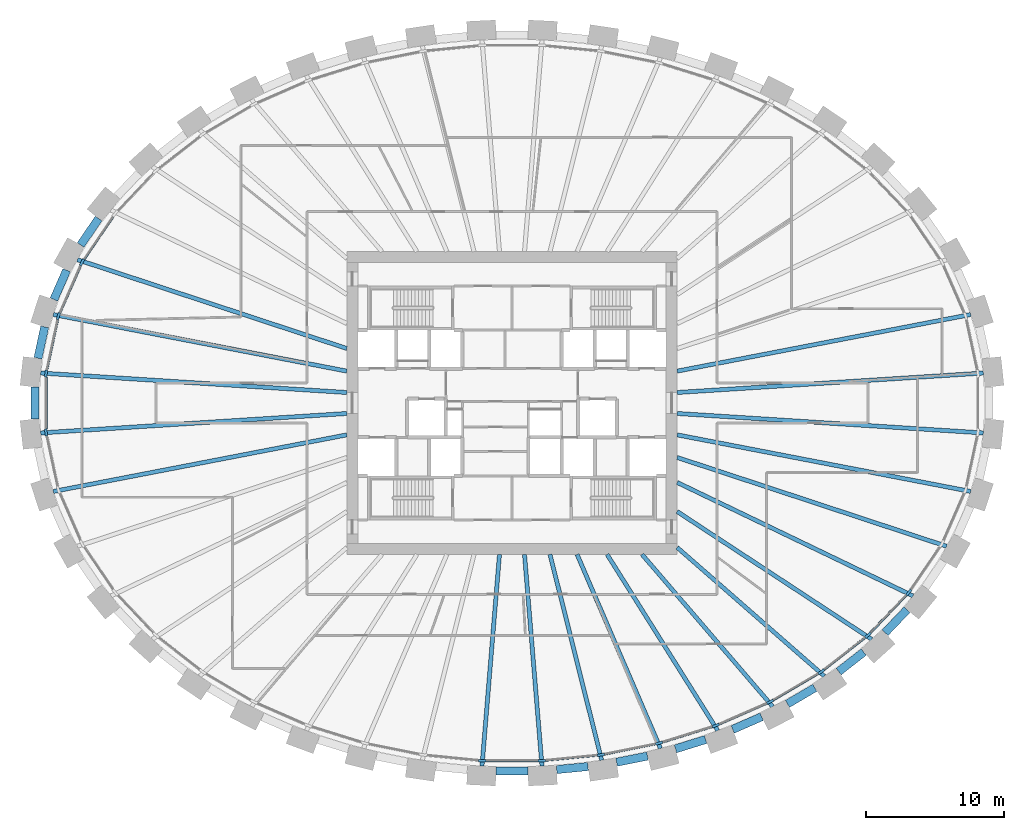
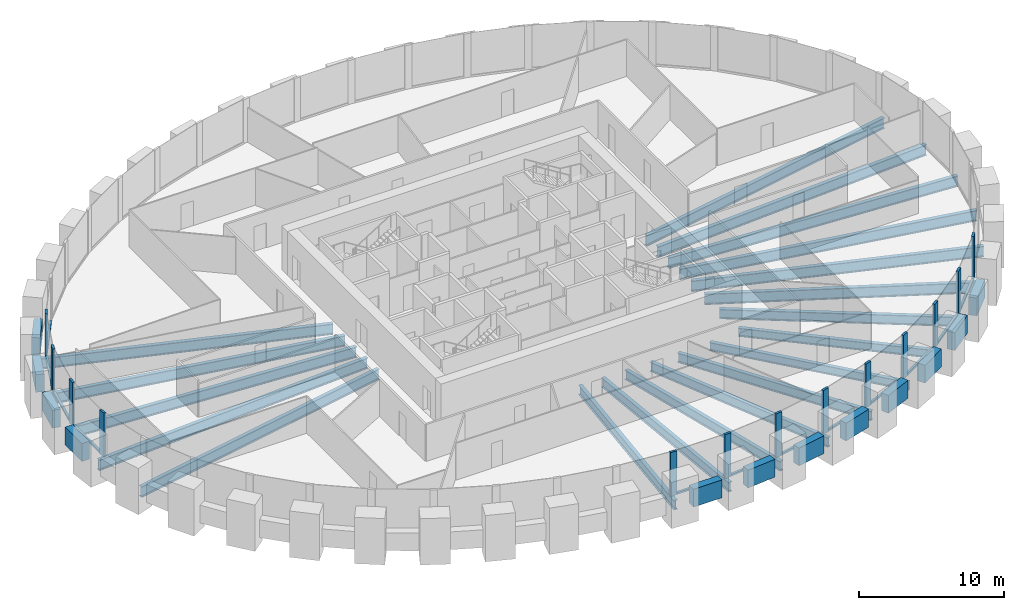
# One storey, part 2 of 11: 31 beams, 25 members, 1 element without a shape of its own.
"""IFC4 building model written with IfcOpenShell, lengths in metres."""

from ifc_helpers import new_model, si_unit, direction, frame, origin, origin_2d, place, context, subcontext, project, spatial, rectangle, i_section, extrude, source, transform, mapped, material, material_profile, profile_set, type_object, element, aggregate, save


model = new_model("IFC4")

# Units and contexts
model_context = context("Model", 3, precision=1e-05, world=origin(), true_north=direction((0.0, 1.0)))
body_context = subcontext(model_context, "Body", "Model", "MODEL_VIEW")
ifc_project = project(units=[si_unit("LENGTHUNIT", "METRE"), si_unit("AREAUNIT", "SQUARE_METRE"), si_unit("VOLUMEUNIT", "CUBIC_METRE"), si_unit("PLANEANGLEUNIT", "RADIAN"), si_unit("MASSUNIT", "GRAM", prefix="KILO")], contexts=[model_context])

# Site, building, storey
site_placement = place(None, origin())
site = spatial("IfcSite", under=ifc_project, at=site_placement, CompositionType="ELEMENT")
building_placement = place(site_placement, origin())
building = spatial("IfcBuilding", under=site, at=building_placement, Name="Embergate Tower", CompositionType="ELEMENT")
storey_placement = place(building_placement, frame((0.0, 0.0, 226.800048828125)))
storey = spatial("IfcBuildingStorey", under=building, at=storey_placement, Name="L52", CompositionType="ELEMENT", Elevation=226.800048828125)

# Beams
ifc_material_1 = material(Name="Concrete C60", Category="concrete")
ifc_material_profile_1 = material_profile(ifc_material_1, rectangle(XDim=0.60009765625, YDim=1.5, at=origin_2d()), Name="RC 600x1500")
ifc_profile_set_1 = profile_set([ifc_material_profile_1], Name="Concrete C60")
beam_type_1 = type_object("IfcBeamType", Name="Spandrel beam RC 600x1500 C60", PredefinedType="BEAM", material=ifc_profile_set_1)
shared_shape_1 = source(origin(), body_context, "Body", "SweptSolid", [
    extrude(rectangle(XDim=0.60009765625, YDim=1.5, at=origin_2d()), origin(), (0.0, 0.0, 1.0), 2.326171875),
])
beam_1_placement = place(storey_placement, frame((-33.947998046875, 5.527099609375, 0.0), z_axis=(-0.210224296762, -0.977653182397, 0.0), x_axis=(0.977653182397, -0.210224296762, 0.0)))
element("IfcBeam", 1, at=beam_1_placement, inside=storey, type_object=beam_type_1, Name="SPN-L52-20", PredefinedType="BEAM", context=body_context, shape_type="MappedRepresentation", body=[
    mapped(shared_shape_1, transform((0.0, 0.0, 0.0))),
])
shared_shape_2 = source(origin(), body_context, "Body", "SweptSolid", [
    extrude(rectangle(XDim=0.60009765625, YDim=1.5, at=origin_2d()), origin(), (0.0, 0.0, 1.0), 2.3193359375),
])
beam_2_placement = place(storey_placement, frame((-32.35107421875, 9.64306640625, 0.0), z_axis=(-0.401768353021, -0.915741333844, 0.0), x_axis=(0.915741333844, -0.401768353021, 0.0)))
element("IfcBeam", 2, at=beam_2_placement, inside=storey, type_object=beam_type_1, Name="SPN-L52-19", PredefinedType="BEAM", context=body_context, shape_type="MappedRepresentation", body=[
    mapped(shared_shape_2, transform((0.0, 0.0, 0.0))),
])
shared_shape_3 = source(origin(), body_context, "Body", "SweptSolid", [
    extrude(rectangle(XDim=0.60009765625, YDim=1.5, at=origin_2d()), origin(), (0.0, 0.0, 1.0), 2.315673828125),
])
beam_3_placement = place(storey_placement, frame((-30.032958984375, 13.39501953125, 0.0), z_axis=(-0.562243694996, -0.82697160014, 0.0), x_axis=(0.82697160014, -0.562243694996, 0.0)))
element("IfcBeam", 3, at=beam_3_placement, inside=storey, type_object=beam_type_1, Name="SPN-L52-18", PredefinedType="BEAM", context=body_context, shape_type="MappedRepresentation", body=[
    mapped(shared_shape_3, transform((0.0, 0.0, 0.0))),
])
shared_shape_4 = source(origin(), body_context, "Body", "SweptSolid", [
    extrude(rectangle(XDim=0.60009765625, YDim=1.5, at=origin_2d()), origin(), (0.0, 0.0, 1.0), 2.30712890625),
])
beam_4_placement = place(storey_placement, frame((27.10498046875, -16.68505859375, 0.0), z_axis=(0.690460646057, 0.723369958076, 0.0), x_axis=(-0.723369958076, 0.690460646057, 0.0)))
element("IfcBeam", 4, at=beam_4_placement, inside=storey, type_object=beam_type_1, Name="SPN-L52-39", PredefinedType="BEAM", context=body_context, shape_type="MappedRepresentation", body=[
    mapped(shared_shape_4, transform((0.0, 0.0, 0.0))),
])
shared_shape_5 = source(origin(), body_context, "Body", "SweptSolid", [
    extrude(rectangle(XDim=0.60009765625, YDim=1.5, at=origin_2d()), origin(), (0.0, 0.0, 1.0), 2.30224609375),
])
beam_5_placement = place(storey_placement, frame((23.73388671875, -19.510986328125, 0.0), z_axis=(0.788466304813, 0.6150779513, 0.0), x_axis=(-0.6150779513, 0.788466304813, 0.0)))
element("IfcBeam", 5, at=beam_5_placement, inside=storey, type_object=beam_type_1, Name="SPN-L52-38", PredefinedType="BEAM", context=body_context, shape_type="MappedRepresentation", body=[
    mapped(shared_shape_5, transform((0.0, 0.0, 0.0))),
])
shared_shape_6 = source(origin(), body_context, "Body", "SweptSolid", [
    extrude(rectangle(XDim=0.60009765625, YDim=1.5, at=origin_2d()), origin(), (0.0, 0.0, 1.0), 2.29931640625),
])
beam_6_placement = place(storey_placement, frame((20.014892578125, -21.85693359375, 0.0), z_axis=(0.86211432003, 0.506713823769, 0.0), x_axis=(-0.506713823769, 0.86211432003, 0.0)))
element("IfcBeam", 6, at=beam_6_placement, inside=storey, type_object=beam_type_1, Name="SPN-L52-37", PredefinedType="BEAM", context=body_context, shape_type="MappedRepresentation", body=[
    mapped(shared_shape_6, transform((0.0, 0.0, 0.0))),
])
shared_shape_7 = source(origin(), body_context, "Body", "SweptSolid", [
    extrude(rectangle(XDim=0.60009765625, YDim=1.5, at=origin_2d()), origin(), (0.0, 0.0, 1.0), 2.294189453125),
])
beam_7_placement = place(storey_placement, frame((16.033935546875, -23.712890625, 0.0), z_axis=(0.916269649714, 0.400562016437, 0.0), x_axis=(-0.400562016437, 0.916269649714, 0.0)))
element("IfcBeam", 7, at=beam_7_placement, inside=storey, type_object=beam_type_1, Name="SPN-L52-36", PredefinedType="BEAM", context=body_context, shape_type="MappedRepresentation", body=[
    mapped(shared_shape_7, transform((0.0, 0.0, 0.0))),
])
shared_shape_8 = source(origin(), body_context, "Body", "SweptSolid", [
    extrude(rectangle(XDim=0.60009765625, YDim=1.5, at=origin_2d()), origin(), (0.0, 0.0, 1.0), 2.29248046875),
])
beam_8_placement = place(storey_placement, frame((11.8779296875, -25.1279296875, 0.0), z_axis=(0.954869530389, 0.297025554345, 0.0), x_axis=(-0.297025554345, 0.954869530389, 0.0)))
element("IfcBeam", 8, at=beam_8_placement, inside=storey, type_object=beam_type_1, Name="SPN-L52-35", PredefinedType="BEAM", context=body_context, shape_type="MappedRepresentation", body=[
    mapped(shared_shape_8, transform((0.0, 0.0, 0.0))),
])
shared_shape_9 = source(origin(), body_context, "Body", "SweptSolid", [
    extrude(rectangle(XDim=0.60009765625, YDim=1.5, at=origin_2d()), origin(), (0.0, 0.0, 1.0), 2.289794921875),
])
beam_9_placement = place(storey_placement, frame((7.597900390625, -26.097900390625, 0.0), z_axis=(0.980502681686, 0.196505702735, 0.0), x_axis=(-0.196505702735, 0.980502681686, 0.0)))
element("IfcBeam", 9, at=beam_9_placement, inside=storey, type_object=beam_type_1, Name="SPN-L52-34", PredefinedType="BEAM", context=body_context, shape_type="MappedRepresentation", body=[
    mapped(shared_shape_9, transform((0.0, 0.0, 0.0))),
])
shared_shape_10 = source(origin(), body_context, "Body", "SweptSolid", [
    extrude(rectangle(XDim=0.60009765625, YDim=1.5, at=origin_2d()), origin(), (0.0, 0.0, 1.0), 2.2890625),
])
beam_10_placement = place(storey_placement, frame((3.242919921875, -26.632080078125, 0.0), z_axis=(0.995195366702, 0.097909050116, 0.0), x_axis=(-0.097909050116, 0.995195366702, 0.0)))
element("IfcBeam", 10, at=beam_10_placement, inside=storey, type_object=beam_type_1, Name="SPN-L52-33", PredefinedType="BEAM", context=body_context, shape_type="MappedRepresentation", body=[
    mapped(shared_shape_10, transform((0.0, 0.0, 0.0))),
])
shared_shape_11 = source(origin(), body_context, "Body", "SweptSolid", [
    extrude(rectangle(XDim=0.60009765625, YDim=1.5, at=origin_2d()), origin(), (0.0, 0.0, 1.0), 2.2900390625),
])
beam_11_placement = place(storey_placement, frame((-1.14501953125, -26.735107421875, 0.0), z_axis=(1.0, 0.0, 0.0), x_axis=(0.0, 1.0, 0.0)))
element("IfcBeam", 11, at=beam_11_placement, inside=storey, type_object=beam_type_1, Name="SPN-L52-32", PredefinedType="BEAM", context=body_context, shape_type="MappedRepresentation", body=[
    mapped(shared_shape_11, transform((0.0, 0.0, 0.0))),
])
shared_shape_12 = source(origin(), body_context, "Body", "SweptSolid", [
    extrude(rectangle(XDim=0.60009765625, YDim=1.5, at=origin_2d()), origin(), (0.0, 0.0, 1.0), 2.328125),
])
beam_12_placement = place(storey_placement, frame((-34.658935546875, 1.1640625, 0.0), z_axis=(0.0, -1.0, 0.0), x_axis=(1.0, 0.0, 0.0)))
element("IfcBeam", 12, at=beam_12_placement, inside=storey, type_object=beam_type_1, Name="SPN-L52-21", PredefinedType="BEAM", context=body_context, shape_type="MappedRepresentation", body=[
    mapped(shared_shape_12, transform((0.0, 0.0, 0.0))),
])
ifc_material_2 = material(Name="Steel Q355B", Category="steel")
ifc_material_profile_2 = material_profile(ifc_material_2, i_section(OverallWidth=0.300048828125, OverallDepth=0.89990234375, WebThickness=0.01611328125, FlangeThickness=0.028076171875, FilletRadius=0.028076171875, at=origin_2d()), Name="HN 900x300x16x28")
ifc_profile_set_2 = profile_set([ifc_material_profile_2], Name="Steel Q355 grade B")
beam_type_2 = type_object("IfcBeamType", Name="Radial girder HN 900x300x16x28", PredefinedType="BEAM", material=ifc_profile_set_2)
shared_shape_13 = source(origin(), body_context, "Body", "SweptSolid", [
    extrude(i_section(OverallWidth=0.300048828125, OverallDepth=0.89990234375, WebThickness=0.01611328125, FlangeThickness=0.028076171875, FilletRadius=0.028076171875, at=origin_2d()), origin(), (0.0, 0.0, 1.0), 22.283935546875),
])
for number, where, z_axis, x_axis, name in (
    (13, (34.239013671875, 2.175048828125, -0.650146484375), (-0.997987372241, -0.063412970662, 0.0), (0.063412970662, -0.997987372241, 0.0), "GIR-L52-00"),
    (14, (-34.239013671875, 2.175048828125, -0.650146484375), (0.997987372241, -0.063412970662, 0.0), (0.063412970662, 0.997987372241, 0.0), "GIR-L52-21"),
    (15, (-34.239013671875, -2.175048828125, -0.650146484375), (0.997987372241, 0.063412970662, 0.0), (-0.063412970662, 0.997987372241, 0.0), "GIR-L52-22"),
    (16, (34.239013671875, -2.175048828125, -0.650146484375), (-0.997987372241, 0.063412970662, 0.0), (-0.063412970662, -0.997987372241, 0.0), "GIR-L52-43"),
):
    element("IfcBeam", number, at=place(storey_placement, frame(where, z_axis=z_axis, x_axis=x_axis)), inside=storey, type_object=beam_type_2, Name=name, PredefinedType="BEAM", context=body_context, shape_type="MappedRepresentation", body=[
        mapped(shared_shape_13, transform((0.0, 0.0, 0.0))),
    ])
shared_shape_14 = source(origin(), body_context, "Body", "SweptSolid", [
    extrude(i_section(OverallWidth=0.300048828125, OverallDepth=0.89990234375, WebThickness=0.01611328125, FlangeThickness=0.028076171875, FilletRadius=0.028076171875, at=origin_2d()), origin(), (0.0, 0.0, 1.0), 21.717041015625),
])
for number, where, z_axis, x_axis, name in (
    (17, (33.323974609375, 6.427978515625, -0.650146484375), (-0.981901494291, -0.189392332234, 0.0), (0.189392332234, -0.981901494291, 0.0), "GIR-L52-01"),
    (18, (-33.323974609375, 6.427978515625, -0.650146484375), (0.981901494291, -0.189392332234, 0.0), (0.189392332234, 0.981901494291, 0.0), "GIR-L52-20"),
    (19, (-33.323974609375, -6.427978515625, -0.650146484375), (0.981901494291, 0.189392332234, 0.0), (-0.189392332234, 0.981901494291, 0.0), "GIR-L52-23"),
    (20, (33.323974609375, -6.427978515625, -0.650146484375), (-0.981901494291, 0.189392332234, 0.0), (-0.189392332234, -0.981901494291, 0.0), "GIR-L52-42"),
):
    element("IfcBeam", number, at=place(storey_placement, frame(where, z_axis=z_axis, x_axis=x_axis)), inside=storey, type_object=beam_type_2, Name=name, PredefinedType="BEAM", context=body_context, shape_type="MappedRepresentation", body=[
        mapped(shared_shape_14, transform((0.0, 0.0, 0.0))),
    ])
shared_shape_15 = source(origin(), body_context, "Body", "SweptSolid", [
    extrude(i_section(OverallWidth=0.300048828125, OverallDepth=0.89990234375, WebThickness=0.01611328125, FlangeThickness=0.028076171875, FilletRadius=0.028076171875, at=origin_2d()), origin(), (0.0, 0.0, 1.0), 20.614013671875),
])
for number, where, z_axis, x_axis, name in (
    (21, (-31.576904296875, 10.4130859375, -0.650146484375), (0.949691049508, -0.313188298767, 0.0), (0.313188298767, 0.949691049508, 0.0), "GIR-L52-19"),
    (22, (31.576904296875, -10.4130859375, -0.650146484375), (-0.949691049508, 0.313188298767, 0.0), (-0.313188298767, -0.949691049508, 0.0), "GIR-L52-41"),
):
    element("IfcBeam", number, at=place(storey_placement, frame(where, z_axis=z_axis, x_axis=x_axis)), inside=storey, type_object=beam_type_2, Name=name, PredefinedType="BEAM", context=body_context, shape_type="MappedRepresentation", body=[
        mapped(shared_shape_15, transform((0.0, 0.0, 0.0))),
    ])
shared_shape_16 = source(origin(), body_context, "Body", "SweptSolid", [
    extrude(i_section(OverallWidth=0.300048828125, OverallDepth=0.89990234375, WebThickness=0.01611328125, FlangeThickness=0.028076171875, FilletRadius=0.028076171875, at=origin_2d()), origin(), (0.0, 0.0, 1.0), 19.0078125),
])
beam_13_placement = place(storey_placement, frame((29.12890625, -14.012939453125, -0.650146484375), z_axis=(-0.901150926949, 0.433505486538, 0.0), x_axis=(-0.433505486538, -0.901150926949, 0.0)))
element("IfcBeam", 23, at=beam_13_placement, inside=storey, type_object=beam_type_2, Name="GIR-L52-40", PredefinedType="BEAM", context=body_context, shape_type="MappedRepresentation", body=[
    mapped(shared_shape_16, transform((0.0, 0.0, 0.0))),
])
ifc_material_profile_3 = material_profile(ifc_material_2, i_section(OverallWidth=0.300048828125, OverallDepth=0.800048828125, WebThickness=0.013916015625, FlangeThickness=0.02587890625, FilletRadius=0.028076171875, at=origin_2d()), Name="HN 800x300x14x26")
ifc_profile_set_3 = profile_set([ifc_material_profile_3], Name="Steel Q355 grade B")
beam_type_3 = type_object("IfcBeamType", Name="Radial girder HN 800x300x14x26", PredefinedType="BEAM", material=ifc_profile_set_3)
shared_shape_17 = source(origin(), body_context, "Body", "SweptSolid", [
    extrude(i_section(OverallWidth=0.300048828125, OverallDepth=0.800048828125, WebThickness=0.013916015625, FlangeThickness=0.02587890625, FilletRadius=0.028076171875, at=origin_2d()), origin(), (0.0, 0.0, 1.0), 16.89990234375),
])
beam_14_placement = place(storey_placement, frame((26.1240234375, -17.1640625, -0.60009765625), z_axis=(-0.83574544769, 0.549117060986, 0.0), x_axis=(-0.549117060986, -0.83574544769, 0.0)))
element("IfcBeam", 24, at=beam_14_placement, inside=storey, type_object=beam_type_3, Name="GIR-L52-39", PredefinedType="BEAM", context=body_context, shape_type="MappedRepresentation", body=[
    mapped(shared_shape_17, transform((0.0, 0.0, 0.0))),
])
ifc_material_profile_4 = material_profile(ifc_material_2, i_section(OverallWidth=0.300048828125, OverallDepth=0.699951171875, WebThickness=0.012939453125, FlangeThickness=0.02392578125, FilletRadius=0.01806640625, at=origin_2d()), Name="HN 700x300x13x24")
ifc_profile_set_4 = profile_set([ifc_material_profile_4], Name="Steel Q355 grade B")
beam_type_4 = type_object("IfcBeamType", Name="Radial girder HN 700x300x13x24", PredefinedType="BEAM", material=ifc_profile_set_4)
shared_shape_18 = source(origin(), body_context, "Body", "SweptSolid", [
    extrude(i_section(OverallWidth=0.300048828125, OverallDepth=0.699951171875, WebThickness=0.012939453125, FlangeThickness=0.02392578125, FilletRadius=0.01806640625, at=origin_2d()), origin(), (0.0, 0.0, 1.0), 14.2021484375),
])
beam_15_placement = place(storey_placement, frame((22.69091796875, -19.843017578125, -0.550048828125), z_axis=(-0.752766213958, 0.658287951525, 0.0), x_axis=(-0.658287951525, -0.752766213958, 0.0)))
element("IfcBeam", 25, at=beam_15_placement, inside=storey, type_object=beam_type_4, Name="GIR-L52-38", PredefinedType="BEAM", context=body_context, shape_type="MappedRepresentation", body=[
    mapped(shared_shape_18, transform((0.0, 0.0, 0.0))),
])
shared_shape_19 = source(origin(), body_context, "Body", "SweptSolid", [
    extrude(i_section(OverallWidth=0.300048828125, OverallDepth=0.699951171875, WebThickness=0.012939453125, FlangeThickness=0.02392578125, FilletRadius=0.01806640625, at=origin_2d()), origin(), (0.0, 0.0, 1.0), 14.566650390625),
])
beam_16_placement = place(storey_placement, frame((18.93603515625, -22.051025390625, -0.550048828125), z_axis=(-0.651490890216, 0.758656457144, 0.0), x_axis=(-0.758656457144, -0.651490890216, 0.0)))
element("IfcBeam", 26, at=beam_16_placement, inside=storey, type_object=beam_type_4, Name="GIR-L52-37", PredefinedType="BEAM", context=body_context, shape_type="MappedRepresentation", body=[
    mapped(shared_shape_19, transform((0.0, 0.0, 0.0))),
])
shared_shape_20 = source(origin(), body_context, "Body", "SweptSolid", [
    extrude(i_section(OverallWidth=0.300048828125, OverallDepth=0.800048828125, WebThickness=0.013916015625, FlangeThickness=0.02587890625, FilletRadius=0.028076171875, at=origin_2d()), origin(), (0.0, 0.0, 1.0), 15.111572265625),
])
beam_17_placement = place(storey_placement, frame((14.945068359375, -23.797119140625, -0.60009765625), z_axis=(-0.531849241283, 0.846839054689, 0.0), x_axis=(-0.846839054689, -0.531849241283, 0.0)))
element("IfcBeam", 27, at=beam_17_placement, inside=storey, type_object=beam_type_3, Name="GIR-L52-36", PredefinedType="BEAM", context=body_context, shape_type="MappedRepresentation", body=[
    mapped(shared_shape_20, transform((0.0, 0.0, 0.0))),
])
shared_shape_21 = source(origin(), body_context, "Body", "SweptSolid", [
    extrude(i_section(OverallWidth=0.300048828125, OverallDepth=0.800048828125, WebThickness=0.013916015625, FlangeThickness=0.02587890625, FilletRadius=0.028076171875, at=origin_2d()), origin(), (0.0, 0.0, 1.0), 15.338623046875),
])
beam_18_placement = place(storey_placement, frame((10.784912109375, -25.092041015625, -0.60009765625), z_axis=(-0.394879579292, 0.91873288711, 0.0), x_axis=(-0.91873288711, -0.394879579292, 0.0)))
element("IfcBeam", 28, at=beam_18_placement, inside=storey, type_object=beam_type_3, Name="GIR-L52-35", PredefinedType="BEAM", context=body_context, shape_type="MappedRepresentation", body=[
    mapped(shared_shape_21, transform((0.0, 0.0, 0.0))),
])
shared_shape_22 = source(origin(), body_context, "Body", "SweptSolid", [
    extrude(i_section(OverallWidth=0.300048828125, OverallDepth=0.800048828125, WebThickness=0.013916015625, FlangeThickness=0.02587890625, FilletRadius=0.028076171875, at=origin_2d()), origin(), (0.0, 0.0, 1.0), 15.412841796875),
])
beam_19_placement = place(storey_placement, frame((6.513916015625, -25.948974609375, -0.60009765625), z_axis=(-0.243493364417, 0.969902562882, 0.0), x_axis=(-0.969902562882, -0.243493364417, 0.0)))
element("IfcBeam", 29, at=beam_19_placement, inside=storey, type_object=beam_type_3, Name="GIR-L52-34", PredefinedType="BEAM", context=body_context, shape_type="MappedRepresentation", body=[
    mapped(shared_shape_22, transform((0.0, 0.0, 0.0))),
])
shared_shape_23 = source(origin(), body_context, "Body", "SweptSolid", [
    extrude(i_section(OverallWidth=0.300048828125, OverallDepth=0.800048828125, WebThickness=0.013916015625, FlangeThickness=0.02587890625, FilletRadius=0.028076171875, at=origin_2d()), origin(), (0.0, 0.0, 1.0), 15.42724609375),
])
for number, where, z_axis, x_axis, name in (
    (30, (-2.178955078125, -26.375, -0.60009765625), (0.0823225207, 0.996605740795, 0.0), (-0.996605740795, 0.0823225207, 0.0), "GIR-L52-32"),
    (31, (2.178955078125, -26.375, -0.60009765625), (-0.0823225207, 0.996605740795, 0.0), (-0.996605740795, -0.0823225207, 0.0), "GIR-L52-33"),
):
    element("IfcBeam", number, at=place(storey_placement, frame(where, z_axis=z_axis, x_axis=x_axis)), inside=storey, type_object=beam_type_3, Name=name, PredefinedType="BEAM", context=body_context, shape_type="MappedRepresentation", body=[
        mapped(shared_shape_23, transform((0.0, 0.0, 0.0))),
    ])

# Curtain wall, members
ifc_material_3 = material(Name="Aluminium and glass", Category="aluminium")
curtain_wall_type = type_object("IfcCurtainWallType", Name="Recessed office glazing", PredefinedType="NOTDEFINED", material=ifc_material_3)
curtain_wall_placement = place(storey_placement, origin())
curtain_wall = element("IfcCurtainWall", 32, at=curtain_wall_placement, inside=storey, type_object=curtain_wall_type, Name="Recessed office glazing ring", ObjectType="RECESSED OFFICE GLAZING", PredefinedType="USERDEFINED")
ifc_material_4 = material(Name="Aluminium, thermally broken", Category="aluminium")
ifc_material_profile_5 = material_profile(ifc_material_4, rectangle(XDim=0.179931640625, YDim=0.52001953125, at=origin_2d()), Name="AL 520x180")
ifc_profile_set_5 = profile_set([ifc_material_profile_5], Name="Aluminium, thermally broken")
member_type_1 = type_object("IfcMemberType", Name="Office mullion", PredefinedType="MULLION", material=ifc_profile_set_5)
shared_shape_24 = source(origin(), body_context, "Body", "SweptSolid", [
    extrude(rectangle(XDim=0.179931640625, YDim=0.52001953125, at=origin_2d()), origin(), (0.0, 0.0, 1.0), 3.699951171875),
])
member_1_placement = place(storey_placement, frame((-31.23583984375, 10.2236328125, 0.0), z_axis=(0.0, 0.0, 1.0), x_axis=(0.875001050883, -0.484121018914, 0.0)))
member_1 = element("IfcMember", 33, at=member_1_placement, type_object=member_type_1, Name="CW mullion 20", PredefinedType="MULLION", context=body_context, shape_type="MappedRepresentation", body=[
    mapped(shared_shape_24, transform((0.0, 0.0, 0.0))),
])
member_2_placement = place(storey_placement, frame((-32.953369140625, 6.307373046875, 0.0), z_axis=(0.0, 0.0, 1.0), x_axis=(0.951497261031, -0.307657215503, 0.0)))
member_2 = element("IfcMember", 34, at=member_2_placement, type_object=member_type_1, Name="CW mullion 21", PredefinedType="MULLION", context=body_context, shape_type="MappedRepresentation", body=[
    mapped(shared_shape_24, transform((0.0, 0.0, 0.0))),
])
member_3_placement = place(storey_placement, frame((-33.851806640625, 2.13330078125, 0.0), z_axis=(0.0, 0.0, 1.0), x_axis=(0.994384770038, -0.105824992874, 0.0)))
member_3 = element("IfcMember", 35, at=member_3_placement, type_object=member_type_1, Name="CW mullion 22", PredefinedType="MULLION", context=body_context, shape_type="MappedRepresentation", body=[
    mapped(shared_shape_24, transform((0.0, 0.0, 0.0))),
])
member_4_placement = place(storey_placement, frame((-33.851806640625, -2.13330078125, 0.0), z_axis=(0.0, 0.0, 1.0), x_axis=(0.994384770038, 0.105824992874, 0.0)))
member_4 = element("IfcMember", 36, at=member_4_placement, type_object=member_type_1, Name="CW mullion 23", PredefinedType="MULLION", context=body_context, shape_type="MappedRepresentation", body=[
    mapped(shared_shape_24, transform((0.0, 0.0, 0.0))),
])
member_5_placement = place(storey_placement, frame((-2.1591796875, -25.9853515625, 0.0), z_axis=(0.0, 0.0, 1.0), x_axis=(0.048971796621, 0.998800161762, 0.0)))
member_5 = element("IfcMember", 37, at=member_5_placement, type_object=member_type_1, Name="CW mullion 33", PredefinedType="MULLION", context=body_context, shape_type="MappedRepresentation", body=[
    mapped(shared_shape_24, transform((0.0, 0.0, 0.0))),
])
member_6_placement = place(storey_placement, frame((2.1591796875, -25.9853515625, 0.0), z_axis=(0.0, 0.0, 1.0), x_axis=(-0.048971796621, 0.998800161762, 0.0)))
member_6 = element("IfcMember", 38, at=member_6_placement, type_object=member_type_1, Name="CW mullion 34", PredefinedType="MULLION", context=body_context, shape_type="MappedRepresentation", body=[
    mapped(shared_shape_24, transform((0.0, 0.0, 0.0))),
])
member_7_placement = place(storey_placement, frame((6.456787109375, -25.562744140625, 0.0), z_axis=(0.0, 0.0, 1.0), x_axis=(-0.14741410908, 0.98907486089, 0.0)))
member_7 = element("IfcMember", 39, at=member_7_placement, type_object=member_type_1, Name="CW mullion 35", PredefinedType="MULLION", context=body_context, shape_type="MappedRepresentation", body=[
    mapped(shared_shape_24, transform((0.0, 0.0, 0.0))),
])
member_8_placement = place(storey_placement, frame((10.689453125, -24.7138671875, 0.0), z_axis=(0.0, 0.0, 1.0), x_axis=(-0.247313572481, 0.968935496752, 0.0)))
member_8 = element("IfcMember", 40, at=member_8_placement, type_object=member_type_1, Name="CW mullion 36", PredefinedType="MULLION", context=body_context, shape_type="MappedRepresentation", body=[
    mapped(shared_shape_24, transform((0.0, 0.0, 0.0))),
])
member_9_placement = place(storey_placement, frame((14.80908203125, -23.430908203125, 0.0), z_axis=(0.0, 0.0, 1.0), x_axis=(-0.349504318111, 0.93693475313, 0.0)))
member_9 = element("IfcMember", 41, at=member_9_placement, type_object=member_type_1, Name="CW mullion 37", PredefinedType="MULLION", context=body_context, shape_type="MappedRepresentation", body=[
    mapped(shared_shape_24, transform((0.0, 0.0, 0.0))),
])
member_10_placement = place(storey_placement, frame((18.759521484375, -21.70361328125, 0.0), z_axis=(0.0, 0.0, 1.0), x_axis=(-0.454512935162, 0.89074013706, 0.0)))
member_10 = element("IfcMember", 42, at=member_10_placement, type_object=member_type_1, Name="CW mullion 38", PredefinedType="MULLION", context=body_context, shape_type="MappedRepresentation", body=[
    mapped(shared_shape_24, transform((0.0, 0.0, 0.0))),
])
member_11_placement = place(storey_placement, frame((22.472412109375, -19.520751953125, 0.0), z_axis=(0.0, 0.0, 1.0), x_axis=(-0.562219061911, 0.826988347211, 0.0)))
member_11 = element("IfcMember", 43, at=member_11_placement, type_object=member_type_1, Name="CW mullion 39", PredefinedType="MULLION", context=body_context, shape_type="MappedRepresentation", body=[
    mapped(shared_shape_24, transform((0.0, 0.0, 0.0))),
])
member_12_placement = place(storey_placement, frame((25.86279296875, -16.87451171875, 0.0), z_axis=(0.0, 0.0, 1.0), x_axis=(-0.671227827685, 0.741251106806, 0.0)))
member_12 = element("IfcMember", 44, at=member_12_placement, type_object=member_type_1, Name="CW mullion 40", PredefinedType="MULLION", context=body_context, shape_type="MappedRepresentation", body=[
    mapped(shared_shape_24, transform((0.0, 0.0, 0.0))),
])
member_13_placement = place(storey_placement, frame((28.826171875, -13.76708984375, 0.0), z_axis=(0.0, 0.0, 1.0), x_axis=(-0.777872564355, 0.628422050555, 0.0)))
member_13 = element("IfcMember", 45, at=member_13_placement, type_object=member_type_1, Name="CW mullion 41", PredefinedType="MULLION", context=body_context, shape_type="MappedRepresentation", body=[
    mapped(shared_shape_24, transform((0.0, 0.0, 0.0))),
])
ifc_material_profile_6 = material_profile(ifc_material_4, rectangle(XDim=0.179931640625, YDim=0.14990234375, at=origin_2d()), Name="AL 150x180")
ifc_profile_set_6 = profile_set([ifc_material_profile_6], Name="Aluminium, thermally broken")
member_type_2 = type_object("IfcMemberType", Name="Office sill transom", PredefinedType="USERDEFINED", material=ifc_profile_set_6)
shared_shape_25 = source(origin(), body_context, "Body", "SweptSolid", [
    extrude(rectangle(XDim=0.179931640625, YDim=0.14990234375, at=origin_2d()), origin(), (0.0, 0.0, 1.0), 3.74951171875),
])
member_14_placement = place(storey_placement, frame((-33.008056640625, 6.05322265625, 0.074951171875), z_axis=(-0.210445024694, -0.977605693305, 0.0), x_axis=(0.977605693305, -0.210445024694, 0.0)))
member_14 = element("IfcMember", 46, at=member_14_placement, type_object=member_type_2, Name="CW transom 21.1", ObjectType="TRANSOM", PredefinedType="USERDEFINED", context=body_context, shape_type="MappedRepresentation", body=[
    mapped(shared_shape_25, transform((0.0, 0.0, 0.0))),
])
shared_shape_26 = source(origin(), body_context, "Body", "SweptSolid", [
    extrude(rectangle(XDim=0.179931640625, YDim=0.14990234375, at=origin_2d()), origin(), (0.0, 0.0, 1.0), 3.756591796875),
])
member_15_placement = place(storey_placement, frame((-31.340087890625, 9.985595703125, 0.074951171875), z_axis=(-0.401647151286, -0.9157944998, 0.0), x_axis=(0.9157944998, -0.401647151286, 0.0)))
member_15 = element("IfcMember", 47, at=member_15_placement, type_object=member_type_2, Name="CW transom 20.1", ObjectType="TRANSOM", PredefinedType="USERDEFINED", context=body_context, shape_type="MappedRepresentation", body=[
    mapped(shared_shape_26, transform((0.0, 0.0, 0.0))),
])
shared_shape_27 = source(origin(), body_context, "Body", "SweptSolid", [
    extrude(rectangle(XDim=0.179931640625, YDim=0.14990234375, at=origin_2d()), origin(), (0.0, 0.0, 1.0), 3.764892578125),
])
member_16_placement = place(storey_placement, frame((-28.972412109375, 13.552001953125, 0.074951171875), z_axis=(-0.562338399761, -0.826907204077, 0.0), x_axis=(0.826907204077, -0.562338399761, 0.0)))
member_16 = element("IfcMember", 48, at=member_16_placement, type_object=member_type_2, Name="CW transom 19.1", ObjectType="TRANSOM", PredefinedType="USERDEFINED", context=body_context, shape_type="MappedRepresentation", body=[
    mapped(shared_shape_27, transform((0.0, 0.0, 0.0))),
])
shared_shape_28 = source(origin(), body_context, "Body", "SweptSolid", [
    extrude(rectangle(XDim=0.179931640625, YDim=0.14990234375, at=origin_2d()), origin(), (0.0, 0.0, 1.0), 3.773681640625),
])
member_17_placement = place(storey_placement, frame((26.042236328125, -16.686279296875, 0.074951171875), z_axis=(0.690118677227, 0.723696214818, 0.0), x_axis=(-0.723696214818, 0.690118677227, 0.0)))
member_17 = element("IfcMember", 49, at=member_17_placement, type_object=member_type_2, Name="CW transom 40.1", ObjectType="TRANSOM", PredefinedType="USERDEFINED", context=body_context, shape_type="MappedRepresentation", body=[
    mapped(shared_shape_28, transform((0.0, 0.0, 0.0))),
])
shared_shape_29 = source(origin(), body_context, "Body", "SweptSolid", [
    extrude(rectangle(XDim=0.179931640625, YDim=0.14990234375, at=origin_2d()), origin(), (0.0, 0.0, 1.0), 3.781005859375),
])
member_18_placement = place(storey_placement, frame((22.67724609375, -19.36083984375, 0.074951171875), z_axis=(0.788315019644, 0.615271834073, 0.0), x_axis=(-0.615271834073, 0.788315019644, 0.0)))
member_18 = element("IfcMember", 50, at=member_18_placement, type_object=member_type_2, Name="CW transom 39.1", ObjectType="TRANSOM", PredefinedType="USERDEFINED", context=body_context, shape_type="MappedRepresentation", body=[
    mapped(shared_shape_29, transform((0.0, 0.0, 0.0))),
])
shared_shape_30 = source(origin(), body_context, "Body", "SweptSolid", [
    extrude(rectangle(XDim=0.179931640625, YDim=0.14990234375, at=origin_2d()), origin(), (0.0, 0.0, 1.0), 3.786865234375),
])
member_19_placement = place(storey_placement, frame((18.9833984375, -21.57177734375, 0.074951171875), z_axis=(0.862071738168, 0.506786264862, 0.0), x_axis=(-0.506786264862, 0.862071738168, 0.0)))
member_19 = element("IfcMember", 51, at=member_19_placement, type_object=member_type_2, Name="CW transom 38.1", ObjectType="TRANSOM", PredefinedType="USERDEFINED", context=body_context, shape_type="MappedRepresentation", body=[
    mapped(shared_shape_30, transform((0.0, 0.0, 0.0))),
])
shared_shape_31 = source(origin(), body_context, "Body", "SweptSolid", [
    extrude(rectangle(XDim=0.179931640625, YDim=0.14990234375, at=origin_2d()), origin(), (0.0, 0.0, 1.0), 3.79150390625),
])
member_20_placement = place(storey_placement, frame((15.04736328125, -23.326904296875, 0.074951171875), z_axis=(0.916232688924, 0.400646552146, 0.0), x_axis=(-0.400646552146, 0.916232688924, 0.0)))
member_20 = element("IfcMember", 52, at=member_20_placement, type_object=member_type_2, Name="CW transom 37.1", ObjectType="TRANSOM", PredefinedType="USERDEFINED", context=body_context, shape_type="MappedRepresentation", body=[
    mapped(shared_shape_31, transform((0.0, 0.0, 0.0))),
])
shared_shape_32 = source(origin(), body_context, "Body", "SweptSolid", [
    extrude(rectangle(XDim=0.179931640625, YDim=0.14990234375, at=origin_2d()), origin(), (0.0, 0.0, 1.0), 3.794677734375),
])
member_21_placement = place(storey_placement, frame((10.937744140625, -24.63671875, 0.074951171875), z_axis=(0.954763453415, 0.297366353213, 0.0), x_axis=(-0.297366353213, 0.954763453415, 0.0)))
member_21 = element("IfcMember", 53, at=member_21_placement, type_object=member_type_2, Name="CW transom 36.1", ObjectType="TRANSOM", PredefinedType="USERDEFINED", context=body_context, shape_type="MappedRepresentation", body=[
    mapped(shared_shape_32, transform((0.0, 0.0, 0.0))),
])
shared_shape_33 = source(origin(), body_context, "Body", "SweptSolid", [
    extrude(rectangle(XDim=0.179931640625, YDim=0.14990234375, at=origin_2d()), origin(), (0.0, 0.0, 1.0), 3.797119140625),
])
member_22_placement = place(storey_placement, frame((6.711669921875, -25.51171875, 0.074951171875), z_axis=(0.980479151748, 0.196623073385, 0.0), x_axis=(-0.196623073385, 0.980479151748, 0.0)))
member_22 = element("IfcMember", 54, at=member_22_placement, type_object=member_type_2, Name="CW transom 35.1", ObjectType="TRANSOM", PredefinedType="USERDEFINED", context=body_context, shape_type="MappedRepresentation", body=[
    mapped(shared_shape_33, transform((0.0, 0.0, 0.0))),
])
shared_shape_34 = source(origin(), body_context, "Body", "SweptSolid", [
    extrude(rectangle(XDim=0.179931640625, YDim=0.14990234375, at=origin_2d()), origin(), (0.0, 0.0, 1.0), 3.798095703125),
])
member_23_placement = place(storey_placement, frame((2.418212890625, -25.9599609375, 0.074951171875), z_axis=(0.995202542426, 0.097836085104, 0.0), x_axis=(-0.097836085104, 0.995202542426, 0.0)))
member_23 = element("IfcMember", 55, at=member_23_placement, type_object=member_type_2, Name="CW transom 34.1", ObjectType="TRANSOM", PredefinedType="USERDEFINED", context=body_context, shape_type="MappedRepresentation", body=[
    mapped(shared_shape_34, transform((0.0, 0.0, 0.0))),
])
shared_shape_35 = source(origin(), body_context, "Body", "SweptSolid", [
    extrude(rectangle(XDim=0.179931640625, YDim=0.14990234375, at=origin_2d()), origin(), (0.0, 0.0, 1.0), 3.798828125),
])
member_24_placement = place(storey_placement, frame((-1.8994140625, -25.9853515625, 0.074951171875), z_axis=(1.0, 0.0, 0.0), x_axis=(0.0, 1.0, 0.0)))
member_24 = element("IfcMember", 56, at=member_24_placement, type_object=member_type_2, Name="CW transom 33.1", ObjectType="TRANSOM", PredefinedType="USERDEFINED", context=body_context, shape_type="MappedRepresentation", body=[
    mapped(shared_shape_35, transform((0.0, 0.0, 0.0))),
])
shared_shape_36 = source(origin(), body_context, "Body", "SweptSolid", [
    extrude(rectangle(XDim=0.179931640625, YDim=0.14990234375, at=origin_2d()), origin(), (0.0, 0.0, 1.0), 3.74658203125),
])
member_25_placement = place(storey_placement, frame((-33.851806640625, 1.873291015625, 0.074951171875), z_axis=(0.0, -1.0, 0.0), x_axis=(1.0, 0.0, 0.0)))
member_25 = element("IfcMember", 57, at=member_25_placement, type_object=member_type_2, Name="CW transom 22.1", ObjectType="TRANSOM", PredefinedType="USERDEFINED", context=body_context, shape_type="MappedRepresentation", body=[
    mapped(shared_shape_36, transform((0.0, 0.0, 0.0))),
])
aggregate(curtain_wall, [member_1, member_2, member_3, member_4, member_5, member_6, member_7, member_8, member_9, member_10, member_11, member_12, member_13, member_16, member_15, member_14, member_25, member_24, member_23, member_22, member_21, member_20, member_19, member_18, member_17])

save(model, "model.ifc")
